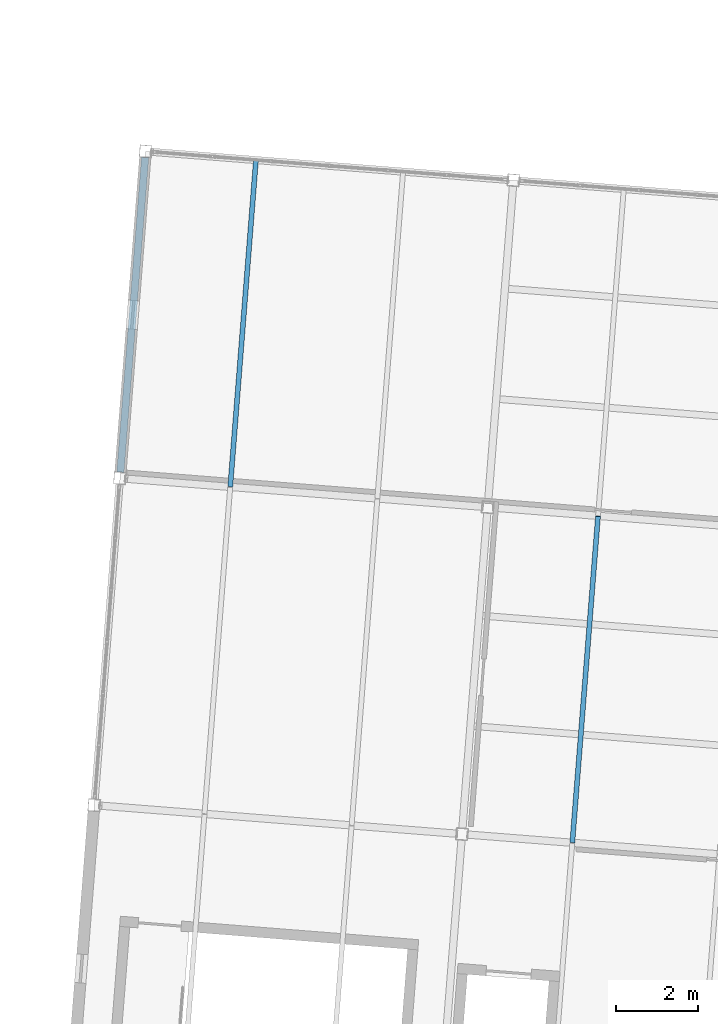
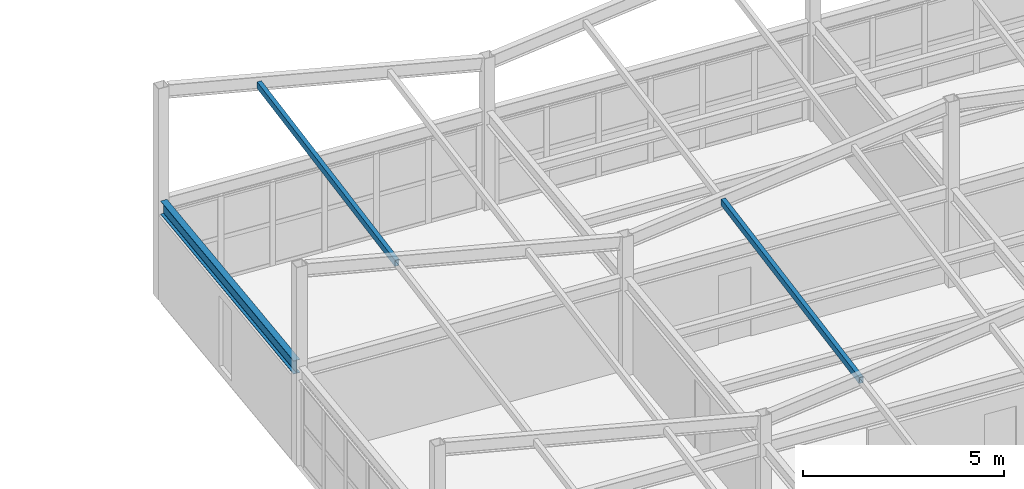
# One storey, part 45 of 127: 2 members, 1 beam.
"""IFC4 building model written with IfcOpenShell, lengths in metres."""

import ifcopenshell
import ifcopenshell.guid

model = None  # the IFC model being written
_history = None  # IfcOwnerHistory: only IFC2X3 demands one
_inside = {}  # id of a spatial element -> (the spatial element, [elements in it])
_under = {}  # id of a project, library or spatial element -> (it, [spatial elements below it])
_declared = {}  # id of a project -> (the project, [libraries it declares])
_typed = {}  # id of a type object -> (the type object, [elements of that type])
_made_of = {}  # id of a material, layer set ... -> (it, [elements and type objects made of it])


def new_model(schema):
    """Start an empty IFC model of exactly this schema.

    Asked for "IFC4X3", IfcOpenShell would pick the latest addendum, in which some entities
    have other attributes; the version numbers below select the first issue.
    IFC2X3 requires an IfcOwnerHistory on every rooted entity: one is made here for all.
    """
    global model, _history
    if schema == "IFC4X3":
        model = ifcopenshell.file(schema_version=(4, 3, 0, 0))
    else:
        model = ifcopenshell.file(schema=schema)
    _inside.clear()
    _under.clear()
    _declared.clear()
    _typed.clear()
    _made_of.clear()
    _history = None
    if model.schema == "IFC2X3":
        org = make("IfcOrganization", Name="unknown")
        user = make(
            "IfcPersonAndOrganization",
            ThePerson=make("IfcPerson", FamilyName="unknown"),
            TheOrganization=org,
        )
        app = make(
            "IfcApplication",
            ApplicationDeveloper=org,
            Version="unknown",
            ApplicationFullName="unknown",
            ApplicationIdentifier="unknown",
        )
        _history = make(
            "IfcOwnerHistory",
            OwningUser=user,
            OwningApplication=app,
            ChangeAction="ADDED",
            CreationDate=0,
        )
    return model


def make(cls, **values):
    """One entity of the class cls with the attributes given. An attribute that is None is left unset."""
    return model.create_entity(
        cls, **{name: value for name, value in values.items() if value is not None}
    )


def rooted(cls, **values):
    """An entity with a GlobalId (a new one), such as an element, a storey or a relation."""
    return make(cls, GlobalId=ifcopenshell.guid.new(), OwnerHistory=_history, **values)


def si_unit(unit_type, name, prefix=None):
    """IfcSIUnit, for example si_unit("LENGTHUNIT", "METRE", prefix="MILLI")."""
    return make("IfcSIUnit", UnitType=unit_type, Prefix=prefix, Name=name)


def assignment(units):
    """IfcUnitAssignment: the units of a project."""
    return None if units is None else make("IfcUnitAssignment", Units=units)


def point(xyz):
    """IfcCartesianPoint."""
    return None if xyz is None else make("IfcCartesianPoint", Coordinates=xyz)


def direction(xyz):
    """IfcDirection."""
    return None if xyz is None else make("IfcDirection", DirectionRatios=xyz)


def frame(location, z_axis=None, x_axis=None):
    """IfcAxis2Placement3D, a coordinate frame: its origin and axes. An axis left out is left unset."""
    return make(
        "IfcAxis2Placement3D",
        Location=point(location),
        Axis=direction(z_axis),
        RefDirection=direction(x_axis),
    )


def frame_2d(location, x_axis=None):
    """IfcAxis2Placement2D, a coordinate frame in the plane: its origin and x axis."""
    return make(
        "IfcAxis2Placement2D", Location=point(location), RefDirection=direction(x_axis)
    )


def origin():
    """The frame at (0, 0, 0) with its axes left unset."""
    return frame((0.0, 0.0, 0.0))


def origin_2d():
    """The frame at (0, 0) in the plane with its x axis left unset."""
    return frame_2d((0.0, 0.0))


def place(relative_to, where):
    """IfcLocalPlacement: puts the frame where relative to a parent placement (None: the world)."""
    return make(
        "IfcLocalPlacement", PlacementRelTo=relative_to, RelativePlacement=where
    )


def context(
    kind, dimensions, precision=None, world=None, true_north=None, identifier=None
):
    """IfcGeometricRepresentationContext, for example the 3D "Model" context."""
    return make(
        "IfcGeometricRepresentationContext",
        ContextIdentifier=identifier,
        ContextType=kind,
        CoordinateSpaceDimension=dimensions,
        Precision=precision,
        WorldCoordinateSystem=world,
        TrueNorth=true_north,
    )


def subcontext(parent, identifier, kind, view, scale=None):
    """IfcGeometricRepresentationSubContext, for example "Body" below "Model"."""
    return make(
        "IfcGeometricRepresentationSubContext",
        ContextIdentifier=identifier,
        ContextType=kind,
        ParentContext=parent,
        TargetScale=scale,
        TargetView=view,
    )


def project(units=None, contexts=None):
    """IfcProject with its units and contexts."""
    return rooted(
        "IfcProject",
        Name="project",
        RepresentationContexts=contexts,
        UnitsInContext=assignment(units),
    )


def spatial(cls, under=None, at=None, **own):
    """A site, building, storey or space (cls), placed at a placement, below another one or the project."""
    s = rooted(cls, ObjectPlacement=at, **own)
    if under is not None:
        _under.setdefault(under.id(), (under, []))[1].append(s)
    return s


def profile(cls, at=None, kind="AREA", **sizes):
    """A parametric profile (cls). Its sizes go by their IFC names, for example OverallWidth=200.0."""
    return make(cls, ProfileType=kind, Position=at, **sizes)


def hollow_rectangle(**sizes):
    """IfcRectangleHollowProfileDef."""
    return profile("IfcRectangleHollowProfileDef", **sizes)


def i_section(**sizes):
    """IfcIShapeProfileDef."""
    return profile("IfcIShapeProfileDef", **sizes)


def extrude(swept, where, along, depth):
    """IfcExtrudedAreaSolid: the profile swept, set in the frame where, extruded along a direction by depth."""
    return make(
        "IfcExtrudedAreaSolid",
        SweptArea=swept,
        Position=where,
        ExtrudedDirection=direction(along),
        Depth=depth,
    )


def shape(context_of_items, identifier, shape_type, items):
    """IfcShapeRepresentation: the items that make up one representation, for example the "Body"."""
    return make(
        "IfcShapeRepresentation",
        ContextOfItems=context_of_items,
        RepresentationIdentifier=identifier,
        RepresentationType=shape_type,
        Items=items,
    )


def material(Name=None, Category=None):
    """IfcMaterial."""
    return make("IfcMaterial", Name=Name, Category=Category)


def material_profile(
    of_material, cross_section, Name=None, Category=None, Priority=None
):
    """IfcMaterialProfile: a cross section and its material."""
    return make(
        "IfcMaterialProfile",
        Name=Name,
        Material=of_material,
        Profile=cross_section,
        Priority=Priority,
        Category=Category,
    )


def profile_set(profiles, Name=None, composite=None):
    """IfcMaterialProfileSet."""
    return make(
        "IfcMaterialProfileSet",
        Name=Name,
        MaterialProfiles=profiles,
        CompositeProfile=composite,
    )


def made_of(thing, what):
    """Note that an element or type object is made of a material, layer set ...; save() writes the relation."""
    if what is not None:
        _made_of.setdefault(what.id(), (what, []))[1].append(thing)
    return thing


def type_object(cls, material=None, **own):
    """A type object (cls), such as IfcWallType, which elements share."""
    return made_of(rooted(cls, **own), material)


def element(
    cls,
    number,
    at=None,
    inside=None,
    cuts=None,
    type_object=None,
    material=None,
    context=None,
    identifier="Body",
    shape_type=None,
    held_by="IfcProductDefinitionShape",
    body=None,
    shapes=None,
    **own,
):
    """One element of the class cls, such as IfcWall. Its Tag is "e" and its number.

    at: its placement. inside: the storey or other place that contains it. cuts: it is an
    opening in that element (IfcRelVoidsElement). A single representation is given by context,
    identifier, shape_type and body (its items); several are given by shapes. held_by: the class
    of the entity that holds the representations. save() writes the other relations.
    """
    e = rooted(cls, Tag="e%d" % number, ObjectPlacement=at, **own)
    if body is not None:
        shapes = [shape(context, identifier, shape_type, body)]
    if shapes is not None:
        e.Representation = make(held_by, Representations=shapes)
    if inside is not None:
        _inside.setdefault(inside.id(), (inside, []))[1].append(e)
    if cuts is not None:
        rooted(
            "IfcRelVoidsElement", RelatingBuildingElement=cuts, RelatedOpeningElement=e
        )
    if type_object is not None:
        _typed.setdefault(type_object.id(), (type_object, []))[1].append(e)
    return made_of(e, material)


def aggregate(whole, parts):
    """IfcRelAggregates: a whole, such as a stair, and the parts it consists of."""
    return rooted("IfcRelAggregates", RelatingObject=whole, RelatedObjects=parts)


def save(model, path):
    """Write the relations noted so far, then the file.

    IfcRelAggregates (storeys below a building ...), IfcRelContainedInSpatialStructure (elements
    in a storey), IfcRelDefinesByType, IfcRelAssociatesMaterial and IfcRelDeclares: one each for
    every whole, place, type object, material and project.
    """
    for whole, parts in _under.values():
        aggregate(whole, parts)
    for where, things in _inside.values():
        rooted(
            "IfcRelContainedInSpatialStructure",
            RelatedElements=things,
            RelatingStructure=where,
        )
    for kind, things in _typed.values():
        rooted("IfcRelDefinesByType", RelatedObjects=things, RelatingType=kind)
    for what, things in _made_of.values():
        rooted("IfcRelAssociatesMaterial", RelatedObjects=things, RelatingMaterial=what)
    for by, libraries in _declared.values():
        rooted("IfcRelDeclares", RelatingContext=by, RelatedDefinitions=libraries)
    model.write(path)


model = new_model("IFC4")

# Units and contexts
model_context = context("Model", 3, precision=1e-05, world=origin(), true_north=direction((0.0, 1.0)))
body_context = subcontext(model_context, "Body", "Model", "MODEL_VIEW")
ifc_project = project(units=[si_unit("LENGTHUNIT", "METRE"), si_unit("AREAUNIT", "SQUARE_METRE"), si_unit("VOLUMEUNIT", "CUBIC_METRE"), si_unit("PLANEANGLEUNIT", "RADIAN"), si_unit("MASSUNIT", "GRAM", prefix="KILO")], contexts=[model_context])

# Site, building, storey
site_placement = place(None, origin())
site = spatial("IfcSite", under=ifc_project, at=site_placement, CompositionType="ELEMENT")
building_placement = place(site_placement, origin())
building = spatial("IfcBuilding", under=site, at=building_placement, Name="Kestramere Prow Commons", CompositionType="ELEMENT")
storey_placement = place(building_placement, frame((0.0, 0.0, 8.39990234375)))
storey = spatial("IfcBuildingStorey", under=building, at=storey_placement, Name="L02", CompositionType="ELEMENT", Elevation=8.39990234375)

# Beam
ifc_material = material(Name="Steel S355JR", Category="steel")
ifc_material_profile_1 = material_profile(ifc_material, i_section(OverallWidth=0.177978515625, OverallDepth=0.406494140625, WebThickness=0.0078125, FlangeThickness=0.0126953125, FilletRadius=0.01025390625, at=origin_2d()), Name="UB 406x178x60")
ifc_profile_set_1 = profile_set([ifc_material_profile_1], Name="Steel S355JR")
beam_type = type_object("IfcBeamType", Name="BM-NR-01 UB 406x178x60 (EX)", PredefinedType="BEAM", material=ifc_profile_set_1)
beam_placement = place(storey_placement, frame((69.8671875, 101.60009765625, 2.796875), z_axis=(0.078442108986, 0.996918670473, 0.0), x_axis=(-0.996918670473, 0.078442108986, 0.0)))
element("IfcBeam", 1, at=beam_placement, inside=storey, type_object=beam_type, Name="Nursery L02 Beam V 1-3", PredefinedType="BEAM", context=body_context, shape_type="SweptSolid", body=[
    extrude(i_section(OverallWidth=0.177978515625, OverallDepth=0.406494140625, WebThickness=0.0078125, FlangeThickness=0.0126953125, FilletRadius=0.01025390625, at=origin_2d()), origin(), (0.0, 0.0, 1.0), 7.699951171875),
])

# Members
ifc_material_profile_2 = material_profile(ifc_material, hollow_rectangle(XDim=0.1201171875, YDim=0.199951171875, WallThickness=0.008056640625, at=origin_2d()), Name="RHS 200x120x8")
ifc_profile_set_2 = profile_set([ifc_material_profile_2], Name="Steel S355JR")
member_type = type_object("IfcMemberType", Name="PUR-NR-01 RHS 200x120x8", PredefinedType="PURLIN", material=ifc_profile_set_2)
member_1_placement = place(storey_placement, frame((72.547607421875, 101.246826171875, 5.23388671875), z_axis=(0.078374248355, 0.995774452398, 0.047861436934), x_axis=(-0.996916934406, 0.078464169489, 0.0)))
element("IfcMember", 2, at=member_1_placement, inside=storey, type_object=member_type, Name="Nursery Roof Purlin 1-3-3", PredefinedType="PURLIN", context=body_context, shape_type="SweptSolid", body=[
    extrude(hollow_rectangle(XDim=0.1201171875, YDim=0.199951171875, WallThickness=0.008056640625, at=origin_2d()), origin(), (0.0, 0.0, 1.0), 7.9931640625),
])
member_2_placement = place(storey_placement, frame((80.892333984375, 92.5654296875, 4.010498046875), z_axis=(0.078346275362, 0.995776578193, 0.047863007209), x_axis=(-0.996919137737, 0.078436170311, 0.0)))
element("IfcMember", 3, at=member_2_placement, inside=storey, type_object=member_type, Name="Nursery Roof Purlin 2-2-3", PredefinedType="PURLIN", context=body_context, shape_type="SweptSolid", body=[
    extrude(hollow_rectangle(XDim=0.1201171875, YDim=0.199951171875, WallThickness=0.008056640625, at=origin_2d()), origin(), (0.0, 0.0, 1.0), 7.992919921875),
])

save(model, "model.ifc")
